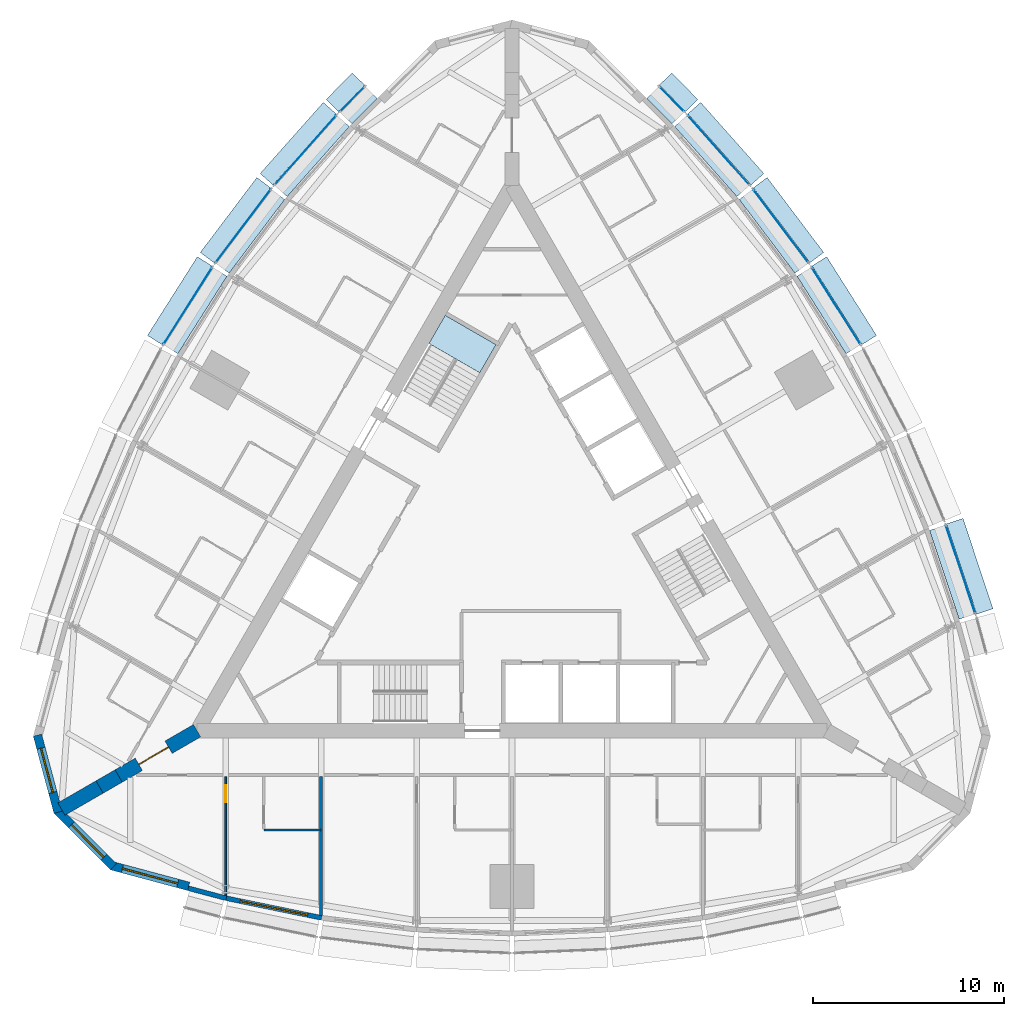
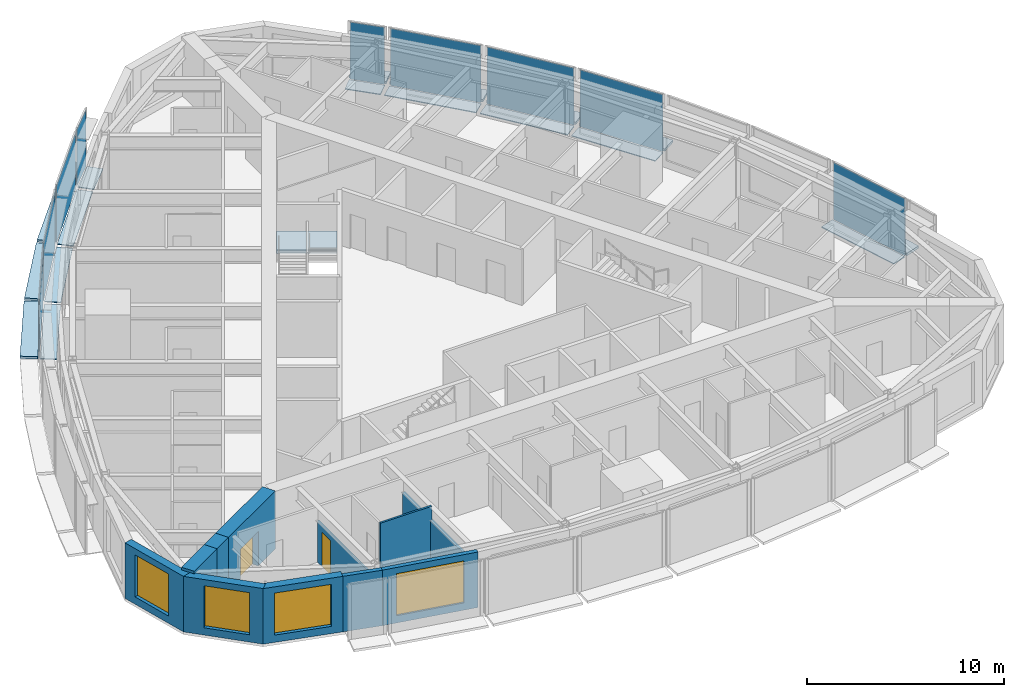
# One storey, part 8 of 15: 27 plates, 11 walls, 4 windows, 2 doors, 1 slab, 6 openings, 10 elements without a shape of their own.
"""IFC4 building model written with IfcOpenShell, lengths in metres."""

from ifc_helpers import new_model, si_unit, direction, frame, frame_2d, origin, origin_2d, place, context, subcontext, project, spatial, polyline, rectangle, outline, extrude, material, layer, layer_set, type_object, element, fill, aggregate, save


model = new_model("IFC4")

# Units and contexts
model_context = context("Model", 3, precision=1e-05, world=origin(), true_north=direction((0.0, 1.0)))
body_context = subcontext(model_context, "Body", "Model", "MODEL_VIEW")
ifc_project = project(units=[si_unit("LENGTHUNIT", "METRE"), si_unit("AREAUNIT", "SQUARE_METRE"), si_unit("VOLUMEUNIT", "CUBIC_METRE"), si_unit("PLANEANGLEUNIT", "RADIAN"), si_unit("MASSUNIT", "GRAM", prefix="KILO")], contexts=[model_context])

# Site, building, storey
site_placement = place(None, origin())
site = spatial("IfcSite", under=ifc_project, at=site_placement, CompositionType="ELEMENT")
building_placement = place(site_placement, origin())
building = spatial("IfcBuilding", under=site, at=building_placement, Name="Trikona Tower", CompositionType="ELEMENT")
storey_placement = place(building_placement, frame((0.0, 0.0, 211.699951171875)))
storey = spatial("IfcBuildingStorey", under=building, at=storey_placement, Name="L56", CompositionType="ELEMENT", Elevation=211.699951171875)

# Plates
ifc_material_1 = material(Name="Aluminium bar grating", Category="aluminium")
ifc_layer_1 = layer(ifc_material_1, 0.050048828125)
ifc_layer_set_1 = layer_set([ifc_layer_1], Name="Cavity catwalk grating")
plate_type_1 = type_object("IfcPlateType", Name="Cavity catwalk grating", PredefinedType="USERDEFINED", material=ifc_layer_set_1)
plate_1_placement = place(storey_placement, frame((23.05078125, -1.22314453125, -0.0498046875), z_axis=(0.0, 0.0, 1.0), x_axis=(-0.315092532747, 0.949060954737, 0.0)))
element("IfcPlate", 1, at=plate_1_placement, inside=storey, type_object=plate_type_1, Name="Cavity catwalk L56-13", ObjectType="CATWALK GRATING", PredefinedType="USERDEFINED", context=body_context, shape_type="SweptSolid", body=[
    extrude(rectangle(XDim=4.90478515625, YDim=0.840087890625, at=origin_2d()), origin(), (0.0, 0.0, 1.0), 0.050048828125),
])
plate_2_placement = place(storey_placement, frame((16.57666015625, 12.477294921875, -0.0498046875), z_axis=(0.0, 0.0, 1.0), x_axis=(-0.535204777743, 0.844722348397, 0.0)))
element("IfcPlate", 2, at=plate_2_placement, inside=storey, type_object=plate_type_1, Name="Cavity catwalk L56-16", ObjectType="CATWALK GRATING", PredefinedType="USERDEFINED", context=body_context, shape_type="SweptSolid", body=[
    extrude(rectangle(XDim=4.80419921875, YDim=0.840087890625, at=origin_2d()), origin(), (0.0, 0.0, 1.0), 0.050048828125),
])
plate_3_placement = place(storey_placement, frame((13.70068359375, 16.6298828125, -0.0498046875), z_axis=(0.0, 0.0, 1.0), x_axis=(-0.602401684924, 0.798193090674, 0.0)))
element("IfcPlate", 3, at=plate_3_placement, inside=storey, type_object=plate_type_1, Name="Cavity catwalk L56-17", ObjectType="CATWALK GRATING", PredefinedType="USERDEFINED", context=body_context, shape_type="SweptSolid", body=[
    extrude(rectangle(XDim=4.837890625, YDim=0.840087890625, at=origin_2d()), origin(), (0.0, 0.0, 1.0), 0.050048828125),
])
plate_4_placement = place(storey_placement, frame((10.466064453125, 20.57421875, -0.0498046875), z_axis=(0.0, 0.0, 1.0), x_axis=(-0.664367239113, 0.747406296196, 0.0)))
element("IfcPlate", 4, at=plate_4_placement, inside=storey, type_object=plate_type_1, Name="Cavity catwalk L56-18", ObjectType="CATWALK GRATING", PredefinedType="USERDEFINED", context=body_context, shape_type="SweptSolid", body=[
    extrude(rectangle(XDim=4.90478515625, YDim=0.840087890625, at=origin_2d()), origin(), (0.0, 0.0, 1.0), 0.050048828125),
])
for number, where, z_axis, x_axis, name in (
    (5, (8.0263671875, 23.23291015625, -0.0498046875), (0.0, 0.0, 1.0), (-0.704151057285, 0.710050201412, 0.0), "Cavity catwalk L56-19"),
    (6, (-8.0263671875, 23.23291015625, -0.0498046875), (0.0, 0.0, 1.0), (-0.704151057285, -0.710050201412, 0.0), "Cavity catwalk L56-24"),
):
    element("IfcPlate", number, at=place(storey_placement, frame(where, z_axis=z_axis, x_axis=x_axis)), inside=storey, type_object=plate_type_1, Name=name, ObjectType="CATWALK GRATING", PredefinedType="USERDEFINED", context=body_context, shape_type="SweptSolid", body=[
        extrude(rectangle(XDim=1.868408203125, YDim=0.840087890625, at=origin_2d()), origin(), (0.0, 0.0, 1.0), 0.050048828125),
    ])
plate_5_placement = place(storey_placement, frame((-10.466064453125, 20.57421875, -0.0498046875), z_axis=(0.0, 0.0, 1.0), x_axis=(-0.664367239113, -0.747406296196, 0.0)))
element("IfcPlate", 7, at=plate_5_placement, inside=storey, type_object=plate_type_1, Name="Cavity catwalk L56-25", ObjectType="CATWALK GRATING", PredefinedType="USERDEFINED", context=body_context, shape_type="SweptSolid", body=[
    extrude(rectangle(XDim=4.90478515625, YDim=0.840087890625, at=origin_2d()), origin(), (0.0, 0.0, 1.0), 0.050048828125),
])
plate_6_placement = place(storey_placement, frame((-13.70068359375, 16.6298828125, -0.0498046875), z_axis=(0.0, 0.0, 1.0), x_axis=(-0.602401684924, -0.798193090674, 0.0)))
element("IfcPlate", 8, at=plate_6_placement, inside=storey, type_object=plate_type_1, Name="Cavity catwalk L56-26", ObjectType="CATWALK GRATING", PredefinedType="USERDEFINED", context=body_context, shape_type="SweptSolid", body=[
    extrude(rectangle(XDim=4.837890625, YDim=0.840087890625, at=origin_2d()), origin(), (0.0, 0.0, 1.0), 0.050048828125),
])
plate_7_placement = place(storey_placement, frame((-16.57666015625, 12.477294921875, -0.0498046875), z_axis=(0.0, 0.0, 1.0), x_axis=(-0.535204777743, -0.844722348397, 0.0)))
element("IfcPlate", 9, at=plate_7_placement, inside=storey, type_object=plate_type_1, Name="Cavity catwalk L56-27", ObjectType="CATWALK GRATING", PredefinedType="USERDEFINED", context=body_context, shape_type="SweptSolid", body=[
    extrude(rectangle(XDim=4.80419921875, YDim=0.840087890625, at=origin_2d()), origin(), (0.0, 0.0, 1.0), 0.050048828125),
])

# Curtain wall, plate
ifc_material_2 = material(Name="Aluminium curtain wall system", Category="aluminium")
curtain_wall_type = type_object("IfcCurtainWallType", Name="Curtain wall DS3", PredefinedType="NOTDEFINED", material=ifc_material_2)
curtain_wall_1_placement = place(storey_placement, origin())
curtain_wall_1 = element("IfcCurtainWall", 10, at=curtain_wall_1_placement, inside=storey, type_object=curtain_wall_type, Name="Curtain wall DS3 L56", PredefinedType="NOTDEFINED")
ifc_material_3 = material(Name="Laminated clear glass", Category="glass")
ifc_layer_2 = layer(ifc_material_3, 0.028076171875)
ifc_layer_set_2 = layer_set([ifc_layer_2], Name="Glass panel DS3")
plate_type_2 = type_object("IfcPlateType", Name="Glass panel DS3", PredefinedType="CURTAIN_PANEL", material=ifc_layer_set_2)
plate_8_placement = place(storey_placement, frame((23.50634765625, -1.072021484375, 0.0), z_axis=(0.0, 0.0, 1.0), x_axis=(-0.315078038687, 0.949065766708, 0.0)))
plate_8 = element("IfcPlate", 11, at=plate_8_placement, type_object=plate_type_2, Name="CW-DS3 panel 1.1", PredefinedType="CURTAIN_PANEL", context=body_context, shape_type="SweptSolid", body=[
    extrude(rectangle(XDim=4.8447265625, YDim=0.028076171875, at=origin_2d()), origin(), (0.0, 0.0, 1.0), 3.530029296875),
])
aggregate(curtain_wall_1, [plate_8])

curtain_wall_2_placement = place(storey_placement, origin())
curtain_wall_2 = element("IfcCurtainWall", 12, at=curtain_wall_2_placement, inside=storey, type_object=curtain_wall_type, Name="Curtain wall DS3 L56", PredefinedType="NOTDEFINED")
plate_9_placement = place(storey_placement, frame((16.982177734375, 12.734130859375, 0.0), z_axis=(0.0, 0.0, 1.0), x_axis=(-0.535197227854, 0.844727131858, 0.0)))
plate_9 = element("IfcPlate", 13, at=plate_9_placement, type_object=plate_type_2, Name="CW-DS3 panel 1.1", PredefinedType="CURTAIN_PANEL", context=body_context, shape_type="SweptSolid", body=[
    extrude(rectangle(XDim=4.744140625, YDim=0.028076171875, at=origin_2d()), origin(), (0.0, 0.0, 1.0), 3.530029296875),
])
aggregate(curtain_wall_2, [plate_9])

curtain_wall_3_placement = place(storey_placement, origin())
curtain_wall_3 = element("IfcCurtainWall", 14, at=curtain_wall_3_placement, inside=storey, type_object=curtain_wall_type, Name="Curtain wall DS3 L56", PredefinedType="NOTDEFINED")
plate_10_placement = place(storey_placement, frame((14.083740234375, 16.9189453125, 0.0), z_axis=(0.0, 0.0, 1.0), x_axis=(-0.602401528506, 0.798193208724, 0.0)))
plate_10 = element("IfcPlate", 15, at=plate_10_placement, type_object=plate_type_2, Name="CW-DS3 panel 1.1", PredefinedType="CURTAIN_PANEL", context=body_context, shape_type="SweptSolid", body=[
    extrude(rectangle(XDim=4.778076171875, YDim=0.028076171875, at=origin_2d()), origin(), (0.0, 0.0, 1.0), 3.530029296875),
])
aggregate(curtain_wall_3, [plate_10])

curtain_wall_4_placement = place(storey_placement, origin())
curtain_wall_4 = element("IfcCurtainWall", 16, at=curtain_wall_4_placement, inside=storey, type_object=curtain_wall_type, Name="Curtain wall DS3 L56", PredefinedType="NOTDEFINED")
plate_11_placement = place(storey_placement, frame((10.82470703125, 20.89306640625, 0.0), z_axis=(0.0, 0.0, 1.0), x_axis=(-0.664371309689, 0.747402677853, 0.0)))
plate_11 = element("IfcPlate", 17, at=plate_11_placement, type_object=plate_type_2, Name="CW-DS3 panel 1.1", PredefinedType="CURTAIN_PANEL", context=body_context, shape_type="SweptSolid", body=[
    extrude(rectangle(XDim=4.844970703125, YDim=0.028076171875, at=origin_2d()), origin(), (0.0, 0.0, 1.0), 3.530029296875),
])
aggregate(curtain_wall_4, [plate_11])

curtain_wall_5_placement = place(storey_placement, origin())
curtain_wall_5 = element("IfcCurtainWall", 18, at=curtain_wall_5_placement, inside=storey, type_object=curtain_wall_type, Name="Curtain wall DS3 L56", PredefinedType="NOTDEFINED")
plate_12_placement = place(storey_placement, frame((8.3671875, 23.57080078125, 0.0), z_axis=(0.0, 0.0, 1.0), x_axis=(-0.704149343903, 0.710051900554, 0.0)))
plate_12 = element("IfcPlate", 19, at=plate_12_placement, type_object=plate_type_2, Name="CW-DS3 panel 1.1", PredefinedType="CURTAIN_PANEL", context=body_context, shape_type="SweptSolid", body=[
    extrude(rectangle(XDim=1.808349609375, YDim=0.028076171875, at=origin_2d()), origin(), (0.0, 0.0, 1.0), 3.530029296875),
])
aggregate(curtain_wall_5, [plate_12])

curtain_wall_6_placement = place(storey_placement, origin())
curtain_wall_6 = element("IfcCurtainWall", 20, at=curtain_wall_6_placement, inside=storey, type_object=curtain_wall_type, Name="Curtain wall DS3 L56", PredefinedType="NOTDEFINED")
plate_13_placement = place(storey_placement, frame((-8.3671875, 23.57080078125, 0.0), z_axis=(0.0, 0.0, 1.0), x_axis=(-0.704149343903, -0.710051900554, 0.0)))
plate_13 = element("IfcPlate", 21, at=plate_13_placement, type_object=plate_type_2, Name="CW-DS3 panel 1.1", PredefinedType="CURTAIN_PANEL", context=body_context, shape_type="SweptSolid", body=[
    extrude(rectangle(XDim=1.808349609375, YDim=0.028076171875, at=origin_2d()), origin(), (0.0, 0.0, 1.0), 3.530029296875),
])
aggregate(curtain_wall_6, [plate_13])

curtain_wall_7_placement = place(storey_placement, origin())
curtain_wall_7 = element("IfcCurtainWall", 22, at=curtain_wall_7_placement, inside=storey, type_object=curtain_wall_type, Name="Curtain wall DS3 L56", PredefinedType="NOTDEFINED")
plate_14_placement = place(storey_placement, frame((-10.82470703125, 20.89306640625, 0.0), z_axis=(0.0, 0.0, 1.0), x_axis=(-0.664371309689, -0.747402677853, 0.0)))
plate_14 = element("IfcPlate", 23, at=plate_14_placement, type_object=plate_type_2, Name="CW-DS3 panel 1.1", PredefinedType="CURTAIN_PANEL", context=body_context, shape_type="SweptSolid", body=[
    extrude(rectangle(XDim=4.844970703125, YDim=0.028076171875, at=origin_2d()), origin(), (0.0, 0.0, 1.0), 3.530029296875),
])
aggregate(curtain_wall_7, [plate_14])

curtain_wall_8_placement = place(storey_placement, origin())
curtain_wall_8 = element("IfcCurtainWall", 24, at=curtain_wall_8_placement, inside=storey, type_object=curtain_wall_type, Name="Curtain wall DS3 L56", PredefinedType="NOTDEFINED")
plate_15_placement = place(storey_placement, frame((-14.083740234375, 16.9189453125, 0.0), z_axis=(0.0, 0.0, 1.0), x_axis=(-0.602401528506, -0.798193208724, 0.0)))
plate_15 = element("IfcPlate", 25, at=plate_15_placement, type_object=plate_type_2, Name="CW-DS3 panel 1.1", PredefinedType="CURTAIN_PANEL", context=body_context, shape_type="SweptSolid", body=[
    extrude(rectangle(XDim=4.778076171875, YDim=0.028076171875, at=origin_2d()), origin(), (0.0, 0.0, 1.0), 3.530029296875),
])
aggregate(curtain_wall_8, [plate_15])

curtain_wall_9_placement = place(storey_placement, origin())
curtain_wall_9 = element("IfcCurtainWall", 26, at=curtain_wall_9_placement, inside=storey, type_object=curtain_wall_type, Name="Curtain wall DS3 L56", PredefinedType="NOTDEFINED")
plate_16_placement = place(storey_placement, frame((-16.982177734375, 12.734130859375, 0.0), z_axis=(0.0, 0.0, 1.0), x_axis=(-0.535197227854, -0.844727131858, 0.0)))
plate_16 = element("IfcPlate", 27, at=plate_16_placement, type_object=plate_type_2, Name="CW-DS3 panel 1.1", PredefinedType="CURTAIN_PANEL", context=body_context, shape_type="SweptSolid", body=[
    extrude(rectangle(XDim=4.744140625, YDim=0.028076171875, at=origin_2d()), origin(), (0.0, 0.0, 1.0), 3.530029296875),
])
aggregate(curtain_wall_9, [plate_16])

# Plates
ifc_material_4 = material(Name="Aluminium plate fin, pale anodised, on stainless steel outriggers", Category="steel")
ifc_layer_3 = layer(ifc_material_4, 0.14990234375)
ifc_layer_set_3 = layer_set([ifc_layer_3], Name="Outer skin fin 900")
plate_type_3 = type_object("IfcPlateType", Name="Outer skin fin 900", PredefinedType="USERDEFINED", material=ifc_layer_set_3)
plate_17_placement = place(storey_placement, frame((23.990234375, -0.9111328125, 0.0), z_axis=(0.0, 0.0, 1.0), x_axis=(-0.315092532747, 0.949060954737, 0.0)))
element("IfcPlate", 28, at=plate_17_placement, inside=storey, type_object=plate_type_3, Name="Outer skin fin L56-13", ObjectType="FIN", PredefinedType="USERDEFINED", context=body_context, shape_type="SweptSolid", body=[
    extrude(rectangle(XDim=4.98486328125, YDim=0.89990234375, at=origin_2d()), origin(), (0.0, 0.0, 1.0), 0.14990234375),
])
plate_18_placement = place(storey_placement, frame((17.4130859375, 13.007080078125, 0.0), z_axis=(0.0, 0.0, 1.0), x_axis=(-0.535204777743, 0.844722348397, 0.0)))
element("IfcPlate", 29, at=plate_18_placement, inside=storey, type_object=plate_type_3, Name="Outer skin fin L56-16", ObjectType="FIN", PredefinedType="USERDEFINED", context=body_context, shape_type="SweptSolid", body=[
    extrude(rectangle(XDim=4.88427734375, YDim=0.89990234375, at=origin_2d()), origin(), (0.0, 0.0, 1.0), 0.14990234375),
])
plate_19_placement = place(storey_placement, frame((14.49072265625, 17.22607421875, 0.0), z_axis=(0.0, 0.0, 1.0), x_axis=(-0.602401684924, 0.798193090674, 0.0)))
element("IfcPlate", 30, at=plate_19_placement, inside=storey, type_object=plate_type_3, Name="Outer skin fin L56-17", ObjectType="FIN", PredefinedType="USERDEFINED", context=body_context, shape_type="SweptSolid", body=[
    extrude(rectangle(XDim=4.91796875, YDim=0.89990234375, at=origin_2d()), origin(), (0.0, 0.0, 1.0), 0.14990234375),
])
plate_20_placement = place(storey_placement, frame((11.2060546875, 21.23193359375, 0.0), z_axis=(0.0, 0.0, 1.0), x_axis=(-0.664367239113, 0.747406296196, 0.0)))
element("IfcPlate", 31, at=plate_20_placement, inside=storey, type_object=plate_type_3, Name="Outer skin fin L56-18", ObjectType="FIN", PredefinedType="USERDEFINED", context=body_context, shape_type="SweptSolid", body=[
    extrude(rectangle(XDim=4.98486328125, YDim=0.89990234375, at=origin_2d()), origin(), (0.0, 0.0, 1.0), 0.14990234375),
])
for number, where, z_axis, x_axis, name in (
    (32, (8.7294921875, 23.929931640625, 0.0), (0.0, 0.0, 1.0), (-0.704151057285, 0.710050201412, 0.0), "Outer skin fin L56-19"),
    (33, (-8.7294921875, 23.929931640625, 0.0), (0.0, 0.0, 1.0), (-0.704151057285, -0.710050201412, 0.0), "Outer skin fin L56-24"),
):
    element("IfcPlate", number, at=place(storey_placement, frame(where, z_axis=z_axis, x_axis=x_axis)), inside=storey, type_object=plate_type_3, Name=name, ObjectType="FIN", PredefinedType="USERDEFINED", context=body_context, shape_type="SweptSolid", body=[
        extrude(rectangle(XDim=1.9482421875, YDim=0.89990234375, at=origin_2d()), origin(), (0.0, 0.0, 1.0), 0.14990234375),
    ])
plate_21_placement = place(storey_placement, frame((-11.2060546875, 21.23193359375, 0.0), z_axis=(0.0, 0.0, 1.0), x_axis=(-0.664367239113, -0.747406296196, 0.0)))
element("IfcPlate", 34, at=plate_21_placement, inside=storey, type_object=plate_type_3, Name="Outer skin fin L56-25", ObjectType="FIN", PredefinedType="USERDEFINED", context=body_context, shape_type="SweptSolid", body=[
    extrude(rectangle(XDim=4.98486328125, YDim=0.89990234375, at=origin_2d()), origin(), (0.0, 0.0, 1.0), 0.14990234375),
])
plate_22_placement = place(storey_placement, frame((-14.49072265625, 17.22607421875, 0.0), z_axis=(0.0, 0.0, 1.0), x_axis=(-0.602401684924, -0.798193090674, 0.0)))
element("IfcPlate", 35, at=plate_22_placement, inside=storey, type_object=plate_type_3, Name="Outer skin fin L56-26", ObjectType="FIN", PredefinedType="USERDEFINED", context=body_context, shape_type="SweptSolid", body=[
    extrude(rectangle(XDim=4.91796875, YDim=0.89990234375, at=origin_2d()), origin(), (0.0, 0.0, 1.0), 0.14990234375),
])
plate_23_placement = place(storey_placement, frame((-17.4130859375, 13.007080078125, 0.0), z_axis=(0.0, 0.0, 1.0), x_axis=(-0.535204777743, -0.844722348397, 0.0)))
element("IfcPlate", 36, at=plate_23_placement, inside=storey, type_object=plate_type_3, Name="Outer skin fin L56-27", ObjectType="FIN", PredefinedType="USERDEFINED", context=body_context, shape_type="SweptSolid", body=[
    extrude(rectangle(XDim=4.88427734375, YDim=0.89990234375, at=origin_2d()), origin(), (0.0, 0.0, 1.0), 0.14990234375),
])

# Stair, slab
ifc_material_5 = material(Name="Concrete f'c 5000 psi", Category="concrete")
stair_type = type_object("IfcStairType", Name="Core stair", PredefinedType="HALF_TURN_STAIR", material=ifc_material_5)
stair_placement = place(storey_placement, origin())
stair = element("IfcStair", 37, at=stair_placement, inside=storey, type_object=stair_type, Name="Stair C L56", PredefinedType="HALF_TURN_STAIR")
ifc_material_6 = material(Name="Concrete f'c 5000 psi", Category="concrete")
ifc_layer_4 = layer(ifc_material_6, 0.199951171875)
ifc_layer_set_4 = layer_set([ifc_layer_4], Name="Stair landing 200")
slab_type = type_object("IfcSlabType", Name="Stair landing 200", PredefinedType="LANDING", material=ifc_layer_set_4)
slab_placement = place(storey_placement, frame((0.0, 0.0, 1.60009765625)))
slab = element("IfcSlab", 38, at=slab_placement, type_object=slab_type, Name="ST-C landing 2", PredefinedType="LANDING", context=body_context, shape_type="SweptSolid", body=[
    extrude(outline(polyline([(-0.837158203125, 10.702392578125), (-1.688720703125, 9.2275390625), (-4.351806640625, 10.76513671875), (-3.500244140625, 12.239990234375), (-0.837158203125, 10.702392578125)])), origin(), (0.0, 0.0, 1.0), 0.199951171875),
])
aggregate(stair, [slab])

# Wall
ifc_material_7 = material(Name="Metal stud and cement board", Category="gypsum")
ifc_layer_5 = layer(ifc_material_7, 0.1201171875)
ifc_layer_set_5 = layer_set([ifc_layer_5], Name="Bathroom wall 120")
wall_type_1 = type_object("IfcWallType", Name="Bathroom wall 120", PredefinedType="PLUMBINGWALL", material=ifc_layer_set_5)
wall_1_placement = place(storey_placement, frame((-13.0, -14.726318359375, 0.0), z_axis=(0.0, 0.0, 1.0), x_axis=(1.0, 0.0, 0.0)))
element("IfcWall", 39, at=wall_1_placement, inside=storey, type_object=wall_type_1, Name="Bathroom wall 5601.1", PredefinedType="PLUMBINGWALL", context=body_context, shape_type="SweptSolid", body=[
    extrude(rectangle(XDim=3.0, YDim=0.1201171875, at=frame_2d((1.5, 0.0))), origin(), (0.0, 0.0, 1.0), 3.43505859375),
])

# Wall, opening, window
ifc_material_8 = material(Name="Brick-faced precast concrete", Category="masonry")
ifc_layer_6 = layer(ifc_material_8, 0.449951171875)
ifc_layer_set_6 = layer_set([ifc_layer_6], Name="Brick-faced corner wall 450")
wall_type_2 = type_object("IfcWallType", Name="Brick-faced corner wall 450", PredefinedType="SOLIDWALL", material=ifc_layer_set_6)
wall_2_placement = place(storey_placement, frame((-24.865478515625, -9.7568359375, 0.0), z_axis=(0.0, 0.0, 1.0), x_axis=(0.258799282522, -0.96593112144, 0.0)))
wall_2 = element("IfcWall", 40, at=wall_2_placement, inside=storey, type_object=wall_type_2, Name="External wall L56-33", PredefinedType="SOLIDWALL", context=body_context, shape_type="SweptSolid", body=[
    extrude(outline(polyline([(4.183837890625, 0.22509765625), (4.12451171875, 0.22509765625), (3.705078125, 0.112548828125), (3.675048828125, 0.22509765625), (0.0, 0.22509765625), (0.0, -0.22509765625), (4.183837890625, -0.22509765625), (4.183837890625, 0.22509765625)])), origin(), (0.0, 0.0, 1.0), 3.43505859375),
])
opening_1_placement = place(wall_2_placement, frame((0.712646484375, 0.0, 0.449951171875)))
opening_1 = element("IfcOpeningElement", 41, at=opening_1_placement, cuts=wall_2, Name="Opening W2426", PredefinedType="OPENING", context=body_context, shape_type="SweptSolid", body=[
    extrude(rectangle(XDim=2.39990234375, YDim=2.60009765625, at=frame_2d((1.199951171875, 1.300048828125))), frame((0.0, 0.23486328125, 0.0), z_axis=(0.0, -1.0, 0.0), x_axis=(1.0, 0.0, 0.0)), (0.0, 0.0, 1.0), 0.469970703125),
])
ifc_material_9 = material(Name="Aluminium-framed double glazing", Category="aluminium")
window_type_1 = type_object("IfcWindowType", Name="Window 2400x2600", PartitioningType="SINGLE_PANEL", PredefinedType="WINDOW", material=ifc_material_9)
window_1_placement = place(opening_1_placement, origin())
window_1 = element("IfcWindow", 42, at=window_1_placement, inside=storey, type_object=window_type_1, Name="Window 5616", OverallHeight=2.60009765625, OverallWidth=2.39990234375, PartitioningType="SINGLE_PANEL", PredefinedType="WINDOW", context=body_context, shape_type="SweptSolid", body=[
    extrude(rectangle(XDim=2.39990234375, YDim=2.60009765625, at=frame_2d((1.199951171875, 1.300048828125))), frame((0.0, 0.030029296875, 0.0), z_axis=(0.0, -1.0, 0.0), x_axis=(1.0, 0.0, 0.0)), (0.0, 0.0, 1.0), 0.06005859375),
])
fill(opening_1, window_1)

wall_3_placement = place(storey_placement, frame((-23.8408203125, -13.697265625, 0.0), z_axis=(0.0, 0.0, 1.0), x_axis=(0.707077605902, -0.707135955267, 0.0)))
wall_3 = element("IfcWall", 43, at=wall_3_placement, inside=storey, type_object=wall_type_2, Name="External wall L56-34", PredefinedType="SOLIDWALL", context=body_context, shape_type="SweptSolid", body=[
    extrude(outline(polyline([(4.18408203125, 0.22509765625), (0.5087890625, 0.22509765625), (0.478759765625, 0.112548828125), (0.05908203125, 0.22509765625), (0.0, 0.22509765625), (0.0, -0.22509765625), (4.18408203125, -0.22509765625), (4.18408203125, 0.22509765625)])), origin(), (0.0, 0.0, 1.0), 3.43505859375),
])
opening_2_placement = place(wall_3_placement, frame((1.0712890625, 0.0, 0.449951171875)))
opening_2 = element("IfcOpeningElement", 44, at=opening_2_placement, cuts=wall_3, Name="Opening W2426", PredefinedType="OPENING", context=body_context, shape_type="SweptSolid", body=[
    extrude(rectangle(XDim=2.39990234375, YDim=2.60009765625, at=frame_2d((1.199951171875, 1.300048828125))), frame((0.0, 0.23486328125, 0.0), z_axis=(0.0, -1.0, 0.0), x_axis=(1.0, 0.0, 0.0)), (0.0, 0.0, 1.0), 0.469970703125),
])
window_2_placement = place(opening_2_placement, origin())
window_2 = element("IfcWindow", 45, at=window_2_placement, inside=storey, type_object=window_type_1, Name="Window 5601", OverallHeight=2.60009765625, OverallWidth=2.39990234375, PartitioningType="SINGLE_PANEL", PredefinedType="WINDOW", context=body_context, shape_type="SweptSolid", body=[
    extrude(rectangle(XDim=2.39990234375, YDim=2.60009765625, at=frame_2d((1.199951171875, 1.300048828125))), frame((0.0, 0.030029296875, 0.0), z_axis=(0.0, -1.0, 0.0), x_axis=(1.0, 0.0, 0.0)), (0.0, 0.0, 1.0), 0.06005859375),
])
fill(opening_2, window_2)

wall_4_placement = place(storey_placement, frame((-20.9833984375, -16.59765625, 0.0), z_axis=(0.0, 0.0, 1.0), x_axis=(0.965920442324, -0.258839137498, 0.0)))
wall_4 = element("IfcWall", 46, at=wall_4_placement, inside=storey, type_object=wall_type_2, Name="External wall L56-35", PredefinedType="SOLIDWALL", context=body_context, shape_type="SweptSolid", body=[
    extrude(rectangle(XDim=4.18408203125, YDim=0.449951171875, at=frame_2d((2.092041015625, 0.0))), origin(), (0.0, 0.0, 1.0), 3.43505859375),
])
opening_3_placement = place(wall_4_placement, frame((0.592041015625, 0.0, 0.449951171875)))
opening_3 = element("IfcOpeningElement", 47, at=opening_3_placement, cuts=wall_4, Name="Opening W3026", PredefinedType="OPENING", context=body_context, shape_type="SweptSolid", body=[
    extrude(rectangle(XDim=3.0, YDim=2.60009765625, at=frame_2d((1.5, 1.300048828125))), frame((0.0, 0.23486328125, 0.0), z_axis=(0.0, -1.0, 0.0), x_axis=(1.0, 0.0, 0.0)), (0.0, 0.0, 1.0), 0.469970703125),
])
ifc_material_10 = material(Name="Aluminium-framed double glazing", Category="aluminium")
window_type_2 = type_object("IfcWindowType", Name="Window 3000x2600", PartitioningType="SINGLE_PANEL", PredefinedType="WINDOW", material=ifc_material_10)
window_3_placement = place(opening_3_placement, origin())
window_3 = element("IfcWindow", 48, at=window_3_placement, inside=storey, type_object=window_type_2, Name="Window 5601", OverallHeight=2.60009765625, OverallWidth=3.0, PartitioningType="SINGLE_PANEL", PredefinedType="WINDOW", context=body_context, shape_type="SweptSolid", body=[
    extrude(rectangle(XDim=3.0, YDim=2.60009765625, at=frame_2d((1.5, 1.300048828125))), frame((0.0, 0.030029296875, 0.0), z_axis=(0.0, -1.0, 0.0), x_axis=(1.0, 0.0, 0.0)), (0.0, 0.0, 1.0), 0.06005859375),
])
fill(opening_3, window_3)

# Wall, opening, door
ifc_material_11 = material(Name="Concrete f'c 10000 psi", Category="concrete")
ifc_layer_7 = layer(ifc_material_11, 0.75)
ifc_layer_set_7 = layer_set([ifc_layer_7], Name="Buttress wall 750")
wall_type_3 = type_object("IfcWallType", Name="Buttress wall 750", PredefinedType="SHEAR", material=ifc_layer_set_7)
wall_5_placement = place(storey_placement, frame((-16.5, -9.5263671875, 0.0), z_axis=(0.0, 0.0, 1.0), x_axis=(-0.866031398331, -0.499989616998, 0.0)))
wall_5 = element("IfcWall", 49, at=wall_5_placement, inside=storey, type_object=wall_type_3, Name="Buttress wall 3", PredefinedType="SHEAR", context=body_context, shape_type="SweptSolid", body=[
    extrude(rectangle(XDim=4.74609375, YDim=0.75, at=frame_2d((2.373046875, 0.0))), origin(), (0.0, 0.0, 1.0), 3.60009765625),
])
opening_4_placement = place(wall_5_placement, frame((1.72509765625, 0.0, 0.0)))
opening_4 = element("IfcOpeningElement", 50, at=opening_4_placement, cuts=wall_5, Name="Opening D10", PredefinedType="OPENING", context=body_context, shape_type="SweptSolid", body=[
    extrude(rectangle(XDim=1.800048828125, YDim=2.1298828125, at=frame_2d((0.89990234375, 1.06494140625))), frame((0.0, 0.385009765625, 0.0), z_axis=(0.0, -1.0, 0.0), x_axis=(1.0, 0.0, 0.0)), (0.0, 0.0, 1.0), 0.77001953125),
])
ifc_material_12 = material(Name="Hollow metal door and frame", Category="steel")
door_type_1 = type_object("IfcDoorType", Name="Cross-corridor door pair 1800x2130", OperationType="DOUBLE_DOOR_DOUBLE_SWING", PredefinedType="DOOR", material=ifc_material_12)
door_1_placement = place(opening_4_placement, origin())
door_1 = element("IfcDoor", 51, at=door_1_placement, inside=storey, type_object=door_type_1, Name="Cross-corridor door 3", OperationType="DOUBLE_DOOR_DOUBLE_SWING", OverallHeight=2.1298828125, OverallWidth=1.800048828125, PredefinedType="DOOR", context=body_context, shape_type="SweptSolid", body=[
    extrude(rectangle(XDim=1.800048828125, YDim=2.1298828125, at=frame_2d((0.89990234375, 1.06494140625))), frame((0.0, 0.02490234375, 0.0), z_axis=(0.0, -1.0, 0.0), x_axis=(1.0, 0.0, 0.0)), (0.0, 0.0, 1.0), 0.050048828125),
])
fill(opening_4, door_1)

# Walls
wall_6_placement = place(storey_placement, frame((-20.6103515625, -11.8994140625, 0.0), z_axis=(0.0, 0.0, 1.0), x_axis=(-0.866009537788, -0.500027479704, 0.0)))
element("IfcWall", 52, at=wall_6_placement, inside=storey, type_object=wall_type_3, Name="Buttress wall 3 part 2", PredefinedType="SHEAR", context=body_context, shape_type="SweptSolid", body=[
    extrude(rectangle(XDim=1.15478515625, YDim=0.75, at=frame_2d((0.577392578125, 0.0))), origin(), (0.0, 0.0, 1.0), 3.60009765625),
])
wall_7_placement = place(storey_placement, frame((-21.6103515625, -12.476806640625, 0.0), z_axis=(0.0, 0.0, 1.0), x_axis=(-0.866055313784, -0.499948190782, 0.0)))
element("IfcWall", 53, at=wall_7_placement, inside=storey, type_object=wall_type_3, Name="Buttress wall 3 part 3", PredefinedType="SHEAR", context=body_context, shape_type="SweptSolid", body=[
    extrude(rectangle(XDim=2.309326171875, YDim=0.75, at=frame_2d((1.15478515625, 0.0))), origin(), (0.0, 0.0, 1.0), 3.60009765625),
])
ifc_material_13 = material(Name="Insulated precast concrete spandrel panel", Category="concrete")
ifc_layer_8 = layer(ifc_material_13, 0.25)
ifc_layer_set_8 = layer_set([ifc_layer_8], Name="Inner skin wall 250")
wall_type_4 = type_object("IfcWallType", Name="Inner skin wall 250", PredefinedType="STANDARD", material=ifc_layer_set_8)
wall_8_placement = place(storey_placement, frame((-16.968017578125, -17.777099609375, 0.0), z_axis=(0.0, 0.0, 1.0), x_axis=(0.967010286052, -0.254737328772, 0.0)))
element("IfcWall", 54, at=wall_8_placement, inside=storey, type_object=wall_type_4, Name="External wall L56-00", PredefinedType="STANDARD", context=body_context, shape_type="SweptSolid", body=[
    extrude(rectangle(XDim=2.068115234375, YDim=0.25, at=frame_2d((1.0341796875, 0.0))), origin(), (0.0, 0.0, 1.0), 3.43505859375),
])

# Wall, opening, window
wall_9_placement = place(storey_placement, frame((-14.974853515625, -18.302490234375, 0.0), z_axis=(0.0, 0.0, 1.0), x_axis=(0.979461488189, -0.201631329795, 0.0)))
wall_9 = element("IfcWall", 55, at=wall_9_placement, inside=storey, type_object=wall_type_4, Name="External wall L56-01", PredefinedType="STANDARD", context=body_context, shape_type="SweptSolid", body=[
    extrude(rectangle(XDim=5.104736328125, YDim=0.25, at=frame_2d((2.55224609375, 0.0))), origin(), (0.0, 0.0, 1.0), 3.43505859375),
])
opening_5_placement = place(wall_9_placement, frame((0.75244140625, 0.0, 0.449951171875)))
opening_5 = element("IfcOpeningElement", 56, at=opening_5_placement, cuts=wall_9, Name="Opening W3626", PredefinedType="OPENING", context=body_context, shape_type="SweptSolid", body=[
    extrude(rectangle(XDim=3.60009765625, YDim=2.60009765625, at=frame_2d((1.800048828125, 1.300048828125))), frame((0.0, 0.135009765625, 0.0), z_axis=(0.0, -1.0, 0.0), x_axis=(1.0, 0.0, 0.0)), (0.0, 0.0, 1.0), 0.27001953125),
])
ifc_material_14 = material(Name="Aluminium-framed double glazing", Category="aluminium")
window_type_3 = type_object("IfcWindowType", Name="Window 3600x2600", PartitioningType="SINGLE_PANEL", PredefinedType="WINDOW", material=ifc_material_14)
window_4_placement = place(opening_5_placement, origin())
window_4 = element("IfcWindow", 57, at=window_4_placement, inside=storey, type_object=window_type_3, Name="Window 5601.1", OverallHeight=2.60009765625, OverallWidth=3.60009765625, PartitioningType="SINGLE_PANEL", PredefinedType="WINDOW", context=body_context, shape_type="SweptSolid", body=[
    extrude(rectangle(XDim=3.60009765625, YDim=2.60009765625, at=frame_2d((1.800048828125, 1.300048828125))), frame((0.0, 0.030029296875, 0.0), z_axis=(0.0, -1.0, 0.0), x_axis=(1.0, 0.0, 0.0)), (0.0, 0.0, 1.0), 0.06005859375),
])
fill(opening_5, window_4)

# Wall
ifc_material_15 = material(Name="Metal stud and gypsum board, 1-hour acoustic", Category="gypsum")
ifc_layer_9 = layer(ifc_material_15, 0.14990234375)
ifc_layer_set_9 = layer_set([ifc_layer_9], Name="Party wall 150")
wall_type_5 = type_object("IfcWallType", Name="Party wall 150", PredefinedType="PARTITIONING", material=ifc_layer_set_9)
wall_10_placement = place(storey_placement, frame((-10.0, -11.92626953125, 0.0), z_axis=(0.0, 0.0, 1.0), x_axis=(0.0, -1.0, 0.0)))
element("IfcWall", 58, at=wall_10_placement, inside=storey, type_object=wall_type_5, Name="Partition L56 F1 u-10", PredefinedType="PARTITIONING", context=body_context, shape_type="SweptSolid", body=[
    extrude(rectangle(XDim=7.27294921875, YDim=0.14990234375, at=frame_2d((3.636474609375, 0.0))), origin(), (0.0, 0.0, 1.0), 2.58935546875),
])

# Wall, opening, door
ifc_material_16 = material(Name="Metal stud and gypsum board, acoustic", Category="gypsum")
ifc_layer_10 = layer(ifc_material_16, 0.10009765625)
ifc_layer_set_10 = layer_set([ifc_layer_10], Name="Suite partition 100")
wall_type_6 = type_object("IfcWallType", Name="Suite partition 100", PredefinedType="PARTITIONING", material=ifc_layer_set_10)
wall_11_placement = place(storey_placement, frame((-15.0, -11.92626953125, 0.0), z_axis=(0.0, 0.0, 1.0), x_axis=(0.0, -1.0, 0.0)))
wall_11 = element("IfcWall", 59, at=wall_11_placement, inside=storey, type_object=wall_type_6, Name="Suite partition L56 F1 u-15", PredefinedType="PARTITIONING", context=body_context, shape_type="SweptSolid", body=[
    extrude(rectangle(XDim=6.240234375, YDim=0.10009765625, at=frame_2d((3.1201171875, 0.0))), origin(), (0.0, 0.0, 1.0), 2.58935546875),
])
opening_6_placement = place(wall_11_placement, frame((0.449951171875, 0.0, 0.0)))
opening_6 = element("IfcOpeningElement", 60, at=opening_6_placement, cuts=wall_11, Name="Opening D13", PredefinedType="OPENING", context=body_context, shape_type="SweptSolid", body=[
    extrude(rectangle(XDim=0.89990234375, YDim=2.1298828125, at=frame_2d((0.449951171875, 1.06494140625))), frame((0.0, 0.06005859375, 0.0), z_axis=(0.0, -1.0, 0.0), x_axis=(1.0, 0.0, 0.0)), (0.0, 0.0, 1.0), 0.1201171875),
])
ifc_material_17 = material(Name="Steel door frame with solid-core timber leaf", Category="steel")
door_type_2 = type_object("IfcDoorType", Name="Suite door 900x2130", OperationType="SINGLE_SWING_LEFT", PredefinedType="DOOR", material=ifc_material_17)
door_2_placement = place(opening_6_placement, origin())
door_2 = element("IfcDoor", 61, at=door_2_placement, inside=storey, type_object=door_type_2, Name="Suite door 5601", OperationType="SINGLE_SWING_LEFT", OverallHeight=2.1298828125, OverallWidth=0.89990234375, PredefinedType="DOOR", context=body_context, shape_type="SweptSolid", body=[
    extrude(rectangle(XDim=0.89990234375, YDim=2.1298828125, at=frame_2d((0.449951171875, 1.06494140625))), frame((0.0, 0.02490234375, 0.0), z_axis=(0.0, -1.0, 0.0), x_axis=(1.0, 0.0, 0.0)), (0.0, 0.0, 1.0), 0.050048828125),
])
fill(opening_6, door_2)

save(model, "model.ifc")
